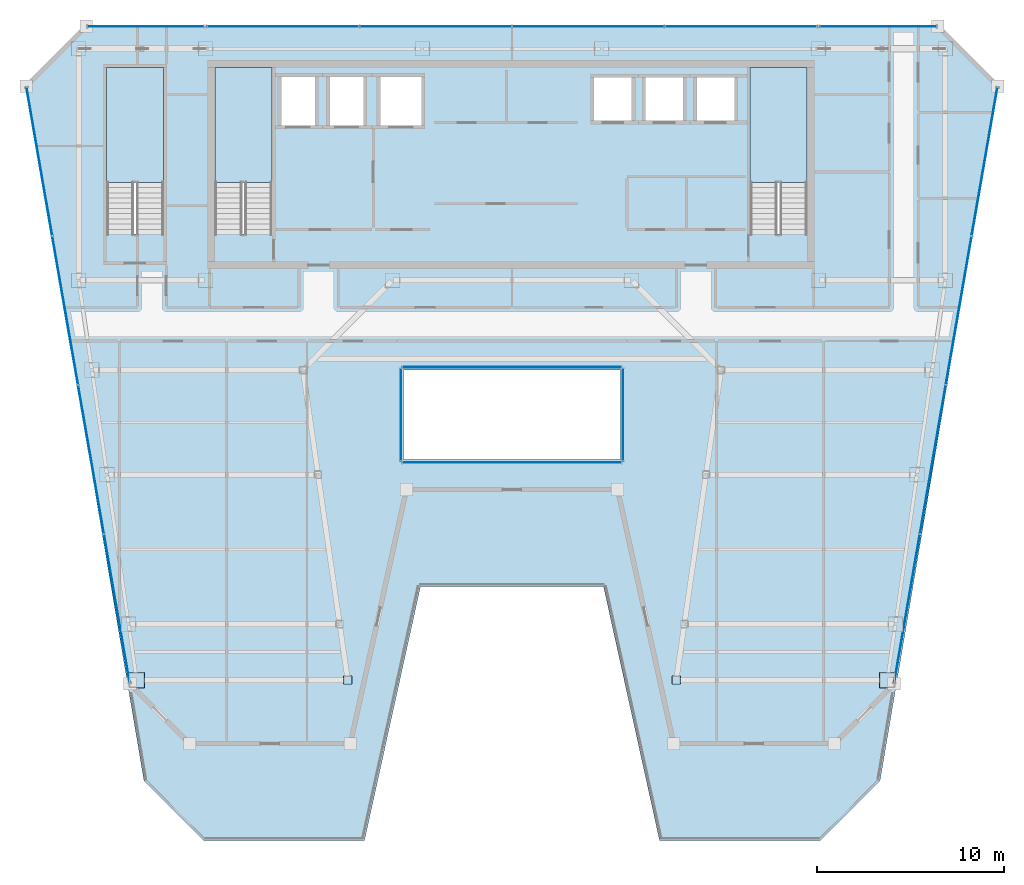
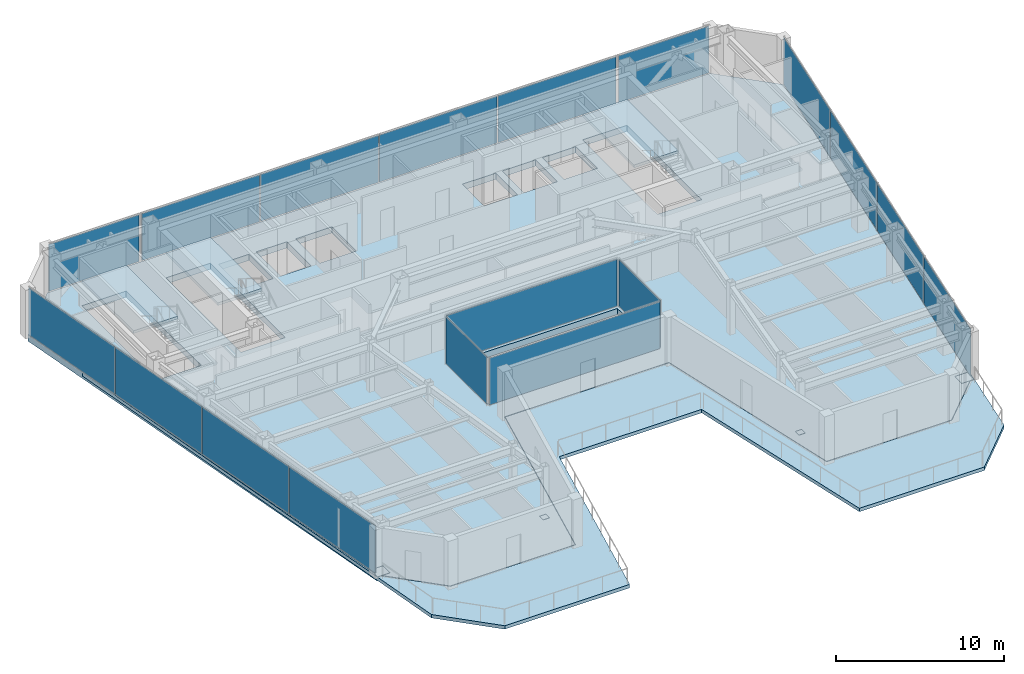
# One storey, part 22 of 31: 22 plates, 5 slabs, 12 elements without a shape of their own.
"""IFC4 building model written with IfcOpenShell, lengths in metres."""

from ifc_helpers import new_model, si_unit, direction, frame, origin, origin_2d, place, context, subcontext, project, spatial, polyline, rectangle, outline, extrude, material, layer, layer_set, type_object, element, aggregate, save


model = new_model("IFC4")

# Units and contexts
model_context = context("Model", 3, precision=1e-05, world=origin(), true_north=direction((0.0, 1.0)))
body_context = subcontext(model_context, "Body", "Model", "MODEL_VIEW")
ifc_project = project(units=[si_unit("LENGTHUNIT", "METRE"), si_unit("AREAUNIT", "SQUARE_METRE"), si_unit("VOLUMEUNIT", "CUBIC_METRE"), si_unit("PLANEANGLEUNIT", "RADIAN"), si_unit("MASSUNIT", "GRAM", prefix="KILO")], contexts=[model_context])

# Site, building, storey
site_placement = place(None, origin())
site = spatial("IfcSite", under=ifc_project, at=site_placement, CompositionType="ELEMENT")
building_placement = place(site_placement, origin())
building = spatial("IfcBuilding", under=site, at=building_placement, Name="Saevonmaru Cultural Tower", CompositionType="ELEMENT")
storey_placement = place(building_placement, frame((0.0, 0.0, 230.60009765625)))
storey = spatial("IfcBuildingStorey", under=building, at=storey_placement, Name="L53", CompositionType="ELEMENT", Elevation=230.60009765625)

# Plates
ifc_material_1 = material(Name="Steel HSA600 (600 MPa)", Category="steel")
ifc_layer_1 = layer(ifc_material_1, 0.0400390625, Name="Steel HSA600 (600 MPa)")
ifc_layer_set_1 = layer_set([ifc_layer_1], Name="Steel HSA600 (600 MPa)")
plate_type_1 = type_object("IfcPlateType", Name="PL-CAP-400", PredefinedType="USERDEFINED", material=ifc_layer_set_1)
for number, where, z_axis, x_axis, name in (
    (1, (38.7939453125, 21.0, -0.03515625), (0.0, 0.0, 1.0), (1.0, 0.0, 0.0), "Column base cap plate TC-EI-Y210"),
    (2, (21.2060546875, 21.0, -0.03515625), (0.0, 0.0, 1.0), (1.0, 0.0, 0.0), "Column base cap plate TC-WI-Y210"),
):
    element("IfcPlate", number, at=place(storey_placement, frame(where, z_axis=z_axis, x_axis=x_axis)), inside=storey, type_object=plate_type_1, Name=name, ObjectType="CAP_PLATE", PredefinedType="USERDEFINED", context=body_context, shape_type="SweptSolid", body=[
        extrude(rectangle(XDim=0.43994140625, YDim=0.43994140625, at=origin_2d()), origin(), (0.0, 0.0, 1.0), 0.0400390625),
    ])
ifc_layer_2 = layer(ifc_material_1, 0.0400390625, Name="Steel HSA600 (600 MPa)")
ifc_layer_set_2 = layer_set([ifc_layer_2], Name="Steel HSA600 (600 MPa)")
plate_type_2 = type_object("IfcPlateType", Name="PL-CAP-800", PredefinedType="USERDEFINED", material=ifc_layer_set_2)
for number, where, z_axis, x_axis, name in (
    (3, (50.093994140625, 21.0, -0.03515625), (0.0, 0.0, 1.0), (1.0, 0.0, 0.0), "Column base cap plate TC-EO-Y210"),
    (4, (9.906005859375, 21.0, -0.03515625), (0.0, 0.0, 1.0), (1.0, 0.0, 0.0), "Column base cap plate TC-WO-Y210"),
):
    element("IfcPlate", number, at=place(storey_placement, frame(where, z_axis=z_axis, x_axis=x_axis)), inside=storey, type_object=plate_type_2, Name=name, ObjectType="CAP_PLATE", PredefinedType="USERDEFINED", context=body_context, shape_type="SweptSolid", body=[
        extrude(rectangle(XDim=0.840087890625, YDim=0.840087890625, at=origin_2d()), origin(), (0.0, 0.0, 1.0), 0.0400390625),
    ])

# Curtain wall, plate
ifc_material_2 = material(Name="Satin Bronze Anodised Aluminium", Category="aluminium")
curtain_wall_type_1 = type_object("IfcCurtainWallType", Name="CW-ATR-GLZ", PredefinedType="NOTDEFINED", material=ifc_material_2)
curtain_wall_1_placement = place(storey_placement, origin())
curtain_wall_1 = element("IfcCurtainWall", 5, at=curtain_wall_1_placement, inside=storey, type_object=curtain_wall_type_1, Name="L53 Vertical Atrium Glazed Smoke Screen 1", PredefinedType="NOTDEFINED")
ifc_material_3 = material(Name="Fire-Rated Laminated Atrium Glass", Category="glass")
ifc_layer_3 = layer(ifc_material_3, 0.031982421875, Name="Fire-Rated Laminated Atrium Glass")
ifc_layer_set_3 = layer_set([ifc_layer_3], Name="Fire-Rated Laminated Atrium Glass")
plate_type_3 = type_object("IfcPlateType", Name="PN-GLZ-ATR-INT", PredefinedType="CURTAIN_PANEL", material=ifc_layer_set_3)
plate_1_placement = place(storey_placement, frame((30.0, 32.64990234375, 0.06689453125), z_axis=(0.0, 0.0, 1.0), x_axis=(1.0, 0.0, 0.0)))
plate_1 = element("IfcPlate", 6, at=plate_1_placement, type_object=plate_type_3, Name="CW-ATR-L53-1 panel 1.1", PredefinedType="CURTAIN_PANEL", context=body_context, shape_type="SweptSolid", body=[
    extrude(rectangle(XDim=11.7109375, YDim=0.031982421875, at=origin_2d()), origin(), (0.0, 0.0, 1.0), 3.416015625),
])
aggregate(curtain_wall_1, [plate_1])

curtain_wall_2_placement = place(storey_placement, origin())
curtain_wall_2 = element("IfcCurtainWall", 7, at=curtain_wall_2_placement, inside=storey, type_object=curtain_wall_type_1, Name="L53 Vertical Atrium Glazed Smoke Screen 2", PredefinedType="NOTDEFINED")
plate_2_placement = place(storey_placement, frame((35.949951171875, 35.199951171875, 0.06689453125), z_axis=(0.0, 0.0, 1.0), x_axis=(0.0, 1.0, 0.0)))
plate_2 = element("IfcPlate", 8, at=plate_2_placement, type_object=plate_type_3, Name="CW-ATR-L53-2 panel 1.1", PredefinedType="CURTAIN_PANEL", context=body_context, shape_type="SweptSolid", body=[
    extrude(rectangle(XDim=4.910888671875, YDim=0.031982421875, at=origin_2d()), origin(), (0.0, 0.0, 1.0), 3.416015625),
])
aggregate(curtain_wall_2, [plate_2])

curtain_wall_3_placement = place(storey_placement, origin())
curtain_wall_3 = element("IfcCurtainWall", 9, at=curtain_wall_3_placement, inside=storey, type_object=curtain_wall_type_1, Name="L53 Vertical Atrium Glazed Smoke Screen 3", PredefinedType="NOTDEFINED")
plate_3_placement = place(storey_placement, frame((30.0, 37.75, 0.06689453125), z_axis=(0.0, 0.0, 1.0), x_axis=(-1.0, 0.0, 0.0)))
plate_3 = element("IfcPlate", 10, at=plate_3_placement, type_object=plate_type_3, Name="CW-ATR-L53-3 panel 1.1", PredefinedType="CURTAIN_PANEL", context=body_context, shape_type="SweptSolid", body=[
    extrude(rectangle(XDim=11.7109375, YDim=0.031982421875, at=origin_2d()), origin(), (0.0, 0.0, 1.0), 3.416015625),
])
aggregate(curtain_wall_3, [plate_3])

curtain_wall_4_placement = place(storey_placement, origin())
curtain_wall_4 = element("IfcCurtainWall", 11, at=curtain_wall_4_placement, inside=storey, type_object=curtain_wall_type_1, Name="L53 Vertical Atrium Glazed Smoke Screen 4", PredefinedType="NOTDEFINED")
plate_4_placement = place(storey_placement, frame((24.050048828125, 35.199951171875, 0.06689453125), z_axis=(0.0, 0.0, 1.0), x_axis=(0.0, -1.0, 0.0)))
plate_4 = element("IfcPlate", 12, at=plate_4_placement, type_object=plate_type_3, Name="CW-ATR-L53-4 panel 1.1", PredefinedType="CURTAIN_PANEL", context=body_context, shape_type="SweptSolid", body=[
    extrude(rectangle(XDim=4.910888671875, YDim=0.031982421875, at=origin_2d()), origin(), (0.0, 0.0, 1.0), 3.416015625),
])
aggregate(curtain_wall_4, [plate_4])

# Curtain wall, plates
curtain_wall_type_2 = type_object("IfcCurtainWallType", Name="CW-SKY-GLZ", PredefinedType="NOTDEFINED", material=ifc_material_2)
curtain_wall_5_placement = place(storey_placement, origin())
curtain_wall_5 = element("IfcCurtainWall", 13, at=curtain_wall_5_placement, inside=storey, type_object=curtain_wall_type_2, Name="L53 Unitised Curtain Wall E8", PredefinedType="NOTDEFINED")
ifc_material_4 = material(Name="Triple Silver Low-E Insulating Glass", Category="glass")
ifc_layer_4 = layer(ifc_material_4, 0.035888671875, Name="Triple Silver Low-E Insulating Glass")
ifc_layer_set_4 = layer_set([ifc_layer_4], Name="Triple Silver Low-E Insulating Glass")
plate_type_4 = type_object("IfcPlateType", Name="PN-GLZ-IGU", PredefinedType="CURTAIN_PANEL", material=ifc_layer_set_4)
plate_5_placement = place(storey_placement, frame((51.154296875, 24.84423828125, 0.06689453125), z_axis=(0.0, 0.0, 1.0), x_axis=(0.170790369887, 0.985307388359, 0.0)))
plate_5 = element("IfcPlate", 14, at=plate_5_placement, type_object=plate_type_4, Name="CW-TW-L53-E8 panel 1.1", PredefinedType="CURTAIN_PANEL", context=body_context, shape_type="SweptSolid", body=[
    extrude(rectangle(XDim=8.020263671875, YDim=0.035888671875, at=origin_2d()), origin(), (0.0, 0.0, 1.0), 3.416015625),
])
plate_6_placement = place(storey_placement, frame((52.535888671875, 32.814697265625, 0.06689453125), z_axis=(0.0, 0.0, 1.0), x_axis=(0.170790369887, 0.985307388359, 0.0)))
plate_6 = element("IfcPlate", 15, at=plate_6_placement, type_object=plate_type_4, Name="CW-TW-L53-E8 panel 2.1", PredefinedType="CURTAIN_PANEL", context=body_context, shape_type="SweptSolid", body=[
    extrude(rectangle(XDim=8.020263671875, YDim=0.035888671875, at=origin_2d()), origin(), (0.0, 0.0, 1.0), 3.416015625),
])
plate_7_placement = place(storey_placement, frame((53.91748046875, 40.78515625, 0.06689453125), z_axis=(0.0, 0.0, 1.0), x_axis=(0.170790369887, 0.985307388359, 0.0)))
plate_7 = element("IfcPlate", 16, at=plate_7_placement, type_object=plate_type_4, Name="CW-TW-L53-E8 panel 3.1", PredefinedType="CURTAIN_PANEL", context=body_context, shape_type="SweptSolid", body=[
    extrude(rectangle(XDim=8.020263671875, YDim=0.035888671875, at=origin_2d()), origin(), (0.0, 0.0, 1.0), 3.416015625),
])
plate_8_placement = place(storey_placement, frame((55.299072265625, 48.755615234375, 0.06689453125), z_axis=(0.0, 0.0, 1.0), x_axis=(0.170790369887, 0.985307388359, 0.0)))
plate_8 = element("IfcPlate", 17, at=plate_8_placement, type_object=plate_type_4, Name="CW-TW-L53-E8 panel 4.1", PredefinedType="CURTAIN_PANEL", context=body_context, shape_type="SweptSolid", body=[
    extrude(rectangle(XDim=8.020263671875, YDim=0.035888671875, at=origin_2d()), origin(), (0.0, 0.0, 1.0), 3.416015625),
])
aggregate(curtain_wall_5, [plate_5, plate_6, plate_7, plate_8])

curtain_wall_6_placement = place(storey_placement, origin())
curtain_wall_6 = element("IfcCurtainWall", 18, at=curtain_wall_6_placement, inside=storey, type_object=curtain_wall_type_2, Name="L53 North Spine Unitised Curtain Wall E10B", PredefinedType="NOTDEFINED")
plate_9_placement = place(storey_placement, frame((42.2548828125, 56.0, 0.06689453125), z_axis=(0.0, 0.0, 1.0), x_axis=(-1.0, 0.0, 0.0)))
plate_9 = element("IfcPlate", 19, at=plate_9_placement, type_object=plate_type_4, Name="CW-TW-L53-E10B panel 1.1", PredefinedType="CURTAIN_PANEL", context=body_context, shape_type="SweptSolid", body=[
    extrude(rectangle(XDim=8.10107421875, YDim=0.035888671875, at=origin_2d()), origin(), (0.0, 0.0, 1.0), 3.416015625),
])
plate_10_placement = place(storey_placement, frame((34.0849609375, 56.0, 0.06689453125), z_axis=(0.0, 0.0, 1.0), x_axis=(-1.0, 0.0, 0.0)))
plate_10 = element("IfcPlate", 20, at=plate_10_placement, type_object=plate_type_4, Name="CW-TW-L53-E10B panel 2.1", PredefinedType="CURTAIN_PANEL", context=body_context, shape_type="SweptSolid", body=[
    extrude(rectangle(XDim=8.10107421875, YDim=0.035888671875, at=origin_2d()), origin(), (0.0, 0.0, 1.0), 3.416015625),
])
plate_11_placement = place(storey_placement, frame((25.9150390625, 56.0, 0.06689453125), z_axis=(0.0, 0.0, 1.0), x_axis=(-1.0, 0.0, 0.0)))
plate_11 = element("IfcPlate", 21, at=plate_11_placement, type_object=plate_type_4, Name="CW-TW-L53-E10B panel 3.1", PredefinedType="CURTAIN_PANEL", context=body_context, shape_type="SweptSolid", body=[
    extrude(rectangle(XDim=8.10107421875, YDim=0.035888671875, at=origin_2d()), origin(), (0.0, 0.0, 1.0), 3.416015625),
])
plate_12_placement = place(storey_placement, frame((17.7451171875, 56.0, 0.06689453125), z_axis=(0.0, 0.0, 1.0), x_axis=(-1.0, 0.0, 0.0)))
plate_12 = element("IfcPlate", 22, at=plate_12_placement, type_object=plate_type_4, Name="CW-TW-L53-E10B panel 4.1", PredefinedType="CURTAIN_PANEL", context=body_context, shape_type="SweptSolid", body=[
    extrude(rectangle(XDim=8.10107421875, YDim=0.035888671875, at=origin_2d()), origin(), (0.0, 0.0, 1.0), 3.416015625),
])
aggregate(curtain_wall_6, [plate_9, plate_10, plate_11, plate_12])

curtain_wall_7_placement = place(storey_placement, origin())
curtain_wall_7 = element("IfcCurtainWall", 23, at=curtain_wall_7_placement, inside=storey, type_object=curtain_wall_type_2, Name="L53 Unitised Curtain Wall E12", PredefinedType="NOTDEFINED")
plate_13_placement = place(storey_placement, frame((4.700927734375, 48.755615234375, 0.06689453125), z_axis=(0.0, 0.0, 1.0), x_axis=(0.170790369887, -0.985307388359, 0.0)))
plate_13 = element("IfcPlate", 24, at=plate_13_placement, type_object=plate_type_4, Name="CW-TW-L53-E12 panel 1.1", PredefinedType="CURTAIN_PANEL", context=body_context, shape_type="SweptSolid", body=[
    extrude(rectangle(XDim=8.020263671875, YDim=0.035888671875, at=origin_2d()), origin(), (0.0, 0.0, 1.0), 3.416015625),
])
plate_14_placement = place(storey_placement, frame((6.08251953125, 40.78515625, 0.06689453125), z_axis=(0.0, 0.0, 1.0), x_axis=(0.170790369887, -0.985307388359, 0.0)))
plate_14 = element("IfcPlate", 25, at=plate_14_placement, type_object=plate_type_4, Name="CW-TW-L53-E12 panel 2.1", PredefinedType="CURTAIN_PANEL", context=body_context, shape_type="SweptSolid", body=[
    extrude(rectangle(XDim=8.020263671875, YDim=0.035888671875, at=origin_2d()), origin(), (0.0, 0.0, 1.0), 3.416015625),
])
plate_15_placement = place(storey_placement, frame((7.464111328125, 32.814697265625, 0.06689453125), z_axis=(0.0, 0.0, 1.0), x_axis=(0.170790369887, -0.985307388359, 0.0)))
plate_15 = element("IfcPlate", 26, at=plate_15_placement, type_object=plate_type_4, Name="CW-TW-L53-E12 panel 3.1", PredefinedType="CURTAIN_PANEL", context=body_context, shape_type="SweptSolid", body=[
    extrude(rectangle(XDim=8.020263671875, YDim=0.035888671875, at=origin_2d()), origin(), (0.0, 0.0, 1.0), 3.416015625),
])
plate_16_placement = place(storey_placement, frame((8.845703125, 24.84423828125, 0.06689453125), z_axis=(0.0, 0.0, 1.0), x_axis=(0.170790369887, -0.985307388359, 0.0)))
plate_16 = element("IfcPlate", 27, at=plate_16_placement, type_object=plate_type_4, Name="CW-TW-L53-E12 panel 4.1", PredefinedType="CURTAIN_PANEL", context=body_context, shape_type="SweptSolid", body=[
    extrude(rectangle(XDim=8.020263671875, YDim=0.035888671875, at=origin_2d()), origin(), (0.0, 0.0, 1.0), 3.416015625),
])
aggregate(curtain_wall_7, [plate_13, plate_14, plate_15, plate_16])

# Curtain wall, plate
curtain_wall_8_placement = place(storey_placement, origin())
curtain_wall_8 = element("IfcCurtainWall", 28, at=curtain_wall_8_placement, inside=storey, type_object=curtain_wall_type_2, Name="L53 East Braced Bay Spandrel Curtain Wall E10A", PredefinedType="NOTDEFINED")
ifc_material_5 = material(Name="Insulated Satin Bronze Aluminium Spandrel Panel", Category="aluminium")
ifc_layer_5 = layer(ifc_material_5, 0.0400390625, Name="Insulated Satin Bronze Aluminium Spandrel Panel")
ifc_layer_set_5 = layer_set([ifc_layer_5], Name="Insulated Satin Bronze Aluminium Spandrel Panel")
plate_type_5 = type_object("IfcPlateType", Name="PN-SPANDREL-BRONZE", PredefinedType="CURTAIN_PANEL", material=ifc_layer_set_5)
plate_17_placement = place(storey_placement, frame((49.60009765625, 56.0, 0.06689453125), z_axis=(0.0, 0.0, 1.0), x_axis=(-1.0, 0.0, 0.0)))
plate_17 = element("IfcPlate", 29, at=plate_17_placement, type_object=plate_type_5, Name="CW-TW-L53-E10A panel 1.1", PredefinedType="CURTAIN_PANEL", context=body_context, shape_type="SweptSolid", body=[
    extrude(rectangle(XDim=6.2109375, YDim=0.035888671875, at=origin_2d()), origin(), (0.0, 0.0, 1.0), 3.416015625),
])
aggregate(curtain_wall_8, [plate_17])

curtain_wall_9_placement = place(storey_placement, origin())
curtain_wall_9 = element("IfcCurtainWall", 30, at=curtain_wall_9_placement, inside=storey, type_object=curtain_wall_type_2, Name="L53 West Braced Bay Spandrel Curtain Wall E10C", PredefinedType="NOTDEFINED")
plate_18_placement = place(storey_placement, frame((10.39990234375, 56.0, 0.06689453125), z_axis=(0.0, 0.0, 1.0), x_axis=(-1.0, 0.0, 0.0)))
plate_18 = element("IfcPlate", 31, at=plate_18_placement, type_object=plate_type_5, Name="CW-TW-L53-E10C panel 1.1", PredefinedType="CURTAIN_PANEL", context=body_context, shape_type="SweptSolid", body=[
    extrude(rectangle(XDim=6.2109375, YDim=0.035888671875, at=origin_2d()), origin(), (0.0, 0.0, 1.0), 3.416015625),
])
aggregate(curtain_wall_9, [plate_18])

# Slab
ifc_material_6 = material(Name="Concrete C50/60", Category="concrete")
ifc_layer_6 = layer(ifc_material_6, 0.449951171875, Name="Concrete C50/60")
ifc_layer_set_6 = layer_set([ifc_layer_6], Name="Concrete C50/60")
slab_type_1 = type_object("IfcSlabType", Name="SL-FLR-450", PredefinedType="FLOOR", material=ifc_layer_set_6)
slab_1_placement = place(storey_placement, frame((0.0, 0.0, -0.4501953125)))
element("IfcSlab", 32, at=slab_1_placement, inside=storey, type_object=slab_type_1, Name="L53 Tower Structural Floor Slab", PredefinedType="FLOOR", context=body_context, shape_type="SweptSolid", body=[
    extrude(outline(polyline([(9.546630859375, 20.800048828125), (12.74658203125, 17.60009765625), (21.3466796875, 17.60009765625), (24.3466796875, 31.199951171875), (35.6533203125, 31.199951171875), (38.6533203125, 17.60009765625), (47.25341796875, 17.60009765625), (50.453369140625, 20.800048828125), (56.0, 52.800048828125), (52.800048828125, 56.0), (7.199951171875, 56.0), (4.0, 52.800048828125), (9.546630859375, 20.800048828125)]), holes=[polyline([(45.800048828125, 44.875), (42.75, 44.875), (42.75, 53.800048828125), (45.800048828125, 53.800048828125), (45.800048828125, 44.875)]), polyline([(39.75, 50.800048828125), (39.75, 53.39990234375), (42.050048828125, 53.39990234375), (42.050048828125, 50.800048828125), (39.75, 50.800048828125)]), polyline([(37.0, 50.800048828125), (37.0, 53.39990234375), (39.300048828125, 53.39990234375), (39.300048828125, 50.800048828125), (37.0, 50.800048828125)]), polyline([(36.550048828125, 50.800048828125), (34.25, 50.800048828125), (34.25, 53.39990234375), (36.550048828125, 53.39990234375), (36.550048828125, 50.800048828125)]), polyline([(35.800048828125, 32.800048828125), (24.199951171875, 32.800048828125), (24.199951171875, 37.60009765625), (35.800048828125, 37.60009765625), (35.800048828125, 32.800048828125)]), polyline([(25.300048828125, 50.550048828125), (22.800048828125, 50.550048828125), (22.800048828125, 53.449951171875), (25.300048828125, 53.449951171875), (25.300048828125, 50.550048828125)]), polyline([(22.199951171875, 50.550048828125), (20.10009765625, 50.550048828125), (20.10009765625, 53.449951171875), (22.199951171875, 53.449951171875), (22.199951171875, 50.550048828125)]), polyline([(17.5, 50.550048828125), (17.5, 53.449951171875), (19.60009765625, 53.449951171875), (19.60009765625, 50.550048828125), (17.5, 50.550048828125)]), polyline([(17.14990234375, 53.800048828125), (17.14990234375, 44.875), (14.10009765625, 44.875), (14.10009765625, 53.800048828125), (17.14990234375, 53.800048828125)]), polyline([(11.35009765625, 53.800048828125), (11.35009765625, 44.875), (8.300048828125, 44.875), (8.300048828125, 53.800048828125), (11.35009765625, 53.800048828125)])]), origin(), (0.0, 0.0, 1.0), 0.4501953125),
])

# Stair, slab
ifc_material_7 = material(Name="Concrete C40/50", Category="concrete")
stair_type = type_object("IfcStairType", Name="STR-DOGLEG-RC", PredefinedType="HALF_TURN_STAIR", material=ifc_material_7)
stair_1_placement = place(storey_placement, origin())
stair_1 = element("IfcStair", 33, at=stair_1_placement, inside=storey, type_object=stair_type, Name="L53 Protected exit stair ST-1", PredefinedType="HALF_TURN_STAIR")
ifc_layer_7 = layer(ifc_material_7, 0.199951171875, Name="Concrete C40/50")
ifc_layer_set_7 = layer_set([ifc_layer_7], Name="Concrete C40/50")
slab_type_2 = type_object("IfcSlabType", Name="SL-STAIR-LANDING", PredefinedType="LANDING", material=ifc_layer_set_7)
slab_2_placement = place(storey_placement, frame((0.0, 0.0, 1.699951171875)))
slab_2 = element("IfcSlab", 34, at=slab_2_placement, type_object=slab_type_2, Name="ST-1-L53 landing 1", PredefinedType="LANDING", context=body_context, shape_type="SweptSolid", body=[
    extrude(outline(polyline([(17.14990234375, 47.64990234375), (17.14990234375, 53.800048828125), (14.10009765625, 53.800048828125), (14.10009765625, 47.64990234375), (17.14990234375, 47.64990234375)])), origin(), (0.0, 0.0, 1.0), 0.199951171875),
])
aggregate(stair_1, [slab_2])

stair_2_placement = place(storey_placement, origin())
stair_2 = element("IfcStair", 35, at=stair_2_placement, inside=storey, type_object=stair_type, Name="L53 Protected exit stair ST-2", PredefinedType="HALF_TURN_STAIR")
slab_3_placement = place(storey_placement, frame((0.0, 0.0, 1.699951171875)))
slab_3 = element("IfcSlab", 36, at=slab_3_placement, type_object=slab_type_2, Name="ST-2-L53 landing 1", PredefinedType="LANDING", context=body_context, shape_type="SweptSolid", body=[
    extrude(outline(polyline([(45.800048828125, 47.64990234375), (45.800048828125, 53.800048828125), (42.75, 53.800048828125), (42.75, 47.64990234375), (45.800048828125, 47.64990234375)])), origin(), (0.0, 0.0, 1.0), 0.199951171875),
])
aggregate(stair_2, [slab_3])

stair_3_placement = place(storey_placement, origin())
stair_3 = element("IfcStair", 37, at=stair_3_placement, inside=storey, type_object=stair_type, Name="L53 Protected exit stair ST-3", PredefinedType="HALF_TURN_STAIR")
slab_4_placement = place(storey_placement, frame((0.0, 0.0, 1.699951171875)))
slab_4 = element("IfcSlab", 38, at=slab_4_placement, type_object=slab_type_2, Name="ST-3-L53 landing 1", PredefinedType="LANDING", context=body_context, shape_type="SweptSolid", body=[
    extrude(outline(polyline([(11.35009765625, 47.64990234375), (11.35009765625, 53.800048828125), (8.300048828125, 53.800048828125), (8.300048828125, 47.64990234375), (11.35009765625, 47.64990234375)])), origin(), (0.0, 0.0, 1.0), 0.199951171875),
])
aggregate(stair_3, [slab_4])

# Slab
ifc_layer_8 = layer(ifc_material_7, 0.25, Name="Concrete C40/50")
ifc_layer_set_8 = layer_set([ifc_layer_8], Name="Concrete C40/50")
slab_type_3 = type_object("IfcSlabType", Name="SL-TERR-250", PredefinedType="FLOOR", material=ifc_layer_set_8)
slab_5_placement = place(storey_placement, frame((0.0, 0.0, -0.25)))
element("IfcSlab", 39, at=slab_5_placement, inside=storey, type_object=slab_type_3, Name="L53 Sawtooth Setback Roof Terrace 1", PredefinedType="FLOOR", context=body_context, shape_type="SweptSolid", body=[
    extrude(outline(polyline([(55.149169921875, 47.77392578125), (50.472900390625, 20.796630859375), (50.47265625, 20.794677734375), (50.471923828125, 20.792724609375), (50.47119140625, 20.790771484375), (50.469970703125, 20.7890625), (50.46875, 20.787353515625), (50.46728515625, 20.785888671875), (47.267333984375, 17.5859375), (47.26611328125, 17.58447265625), (47.264404296875, 17.58349609375), (47.2626953125, 17.58251953125), (47.260986328125, 17.58154296875), (47.259033203125, 17.580810546875), (47.257080078125, 17.580322265625), (47.25537109375, 17.580078125), (47.25341796875, 17.580078125), (38.6533203125, 17.580078125), (38.6513671875, 17.580078125), (38.6494140625, 17.580322265625), (38.647705078125, 17.580810546875), (38.645751953125, 17.58154296875), (38.64404296875, 17.582275390625), (38.642333984375, 17.583251953125), (38.640869140625, 17.58447265625), (38.639404296875, 17.585693359375), (38.637939453125, 17.587158203125), (38.63671875, 17.588623046875), (38.6357421875, 17.59033203125), (38.635009765625, 17.592041015625), (38.63427734375, 17.59375), (38.6337890625, 17.595703125), (35.63720703125, 31.179931640625), (24.36279296875, 31.179931640625), (21.3662109375, 17.595703125), (21.36572265625, 17.59375), (21.364990234375, 17.592041015625), (21.3642578125, 17.59033203125), (21.36328125, 17.588623046875), (21.362060546875, 17.587158203125), (21.360595703125, 17.585693359375), (21.359130859375, 17.58447265625), (21.357666015625, 17.583251953125), (21.35595703125, 17.582275390625), (21.354248046875, 17.58154296875), (21.352294921875, 17.580810546875), (21.3505859375, 17.580322265625), (21.3486328125, 17.580078125), (21.3466796875, 17.580078125), (12.74658203125, 17.580078125), (12.74462890625, 17.580078125), (12.742919921875, 17.580322265625), (12.740966796875, 17.580810546875), (12.739013671875, 17.58154296875), (12.7373046875, 17.58251953125), (12.735595703125, 17.58349609375), (12.73388671875, 17.58447265625), (12.732666015625, 17.5859375), (9.53271484375, 20.785888671875), (9.53125, 20.787353515625), (9.530029296875, 20.7890625), (9.52880859375, 20.790771484375), (9.528076171875, 20.792724609375), (9.52734375, 20.794677734375), (9.527099609375, 20.796630859375), (4.850830078125, 47.77392578125), (10.2978515625, 15.60009765625), (13.497802734375, 12.39990234375), (22.097900390625, 12.39990234375), (25.097900390625, 26.0), (34.902099609375, 26.0), (37.902099609375, 12.39990234375), (46.502197265625, 12.39990234375), (49.7021484375, 15.60009765625), (55.149169921875, 47.77392578125)])), origin(), (0.0, 0.0, 1.0), 0.25),
])

save(model, "model.ifc")
